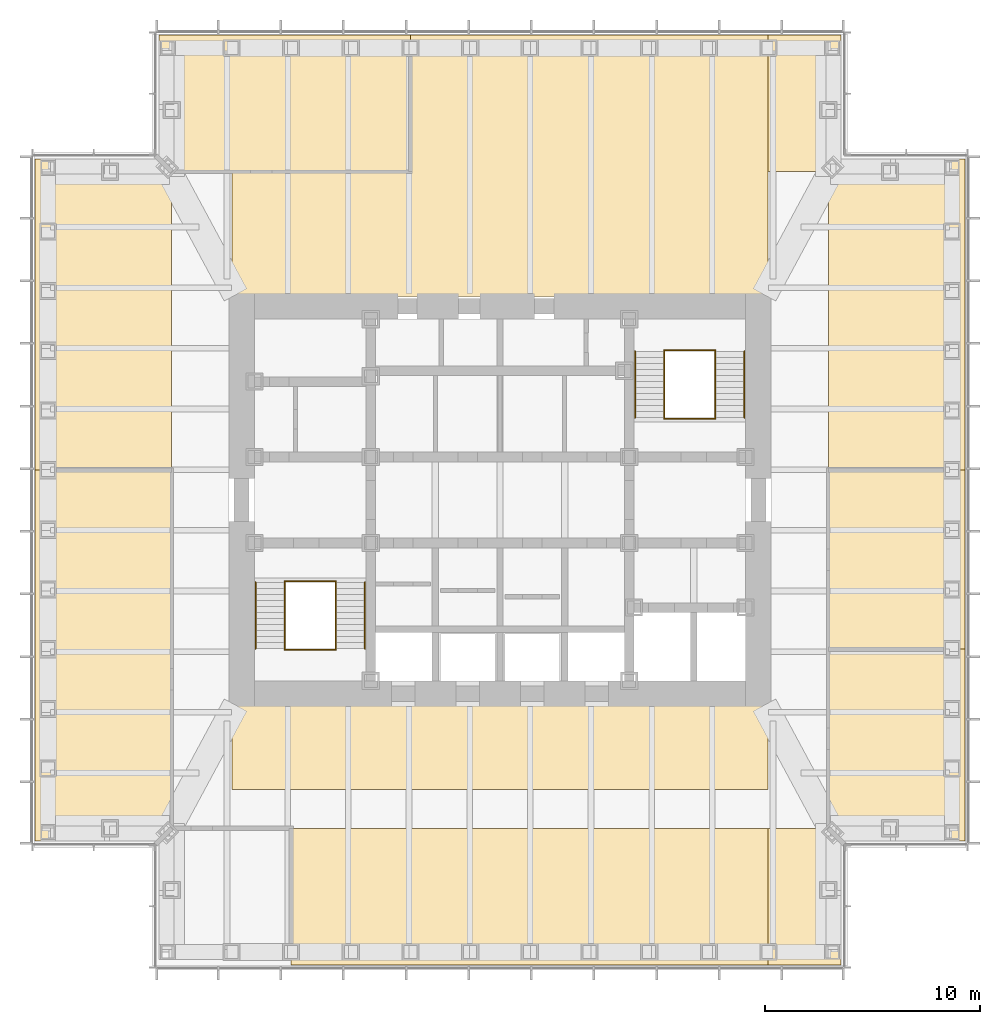
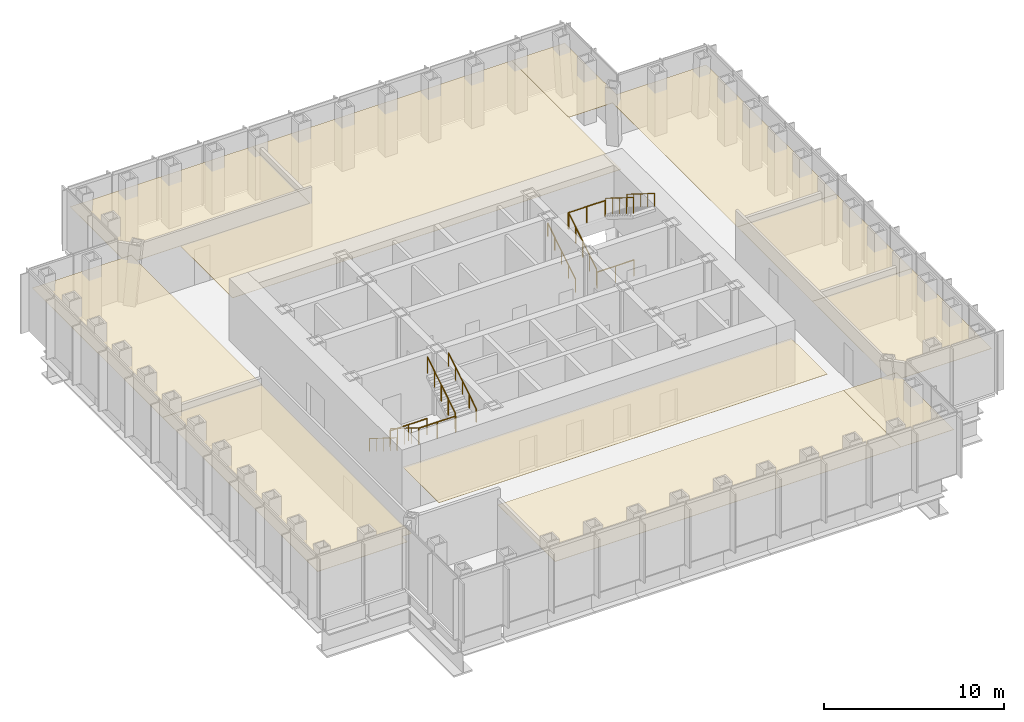
# One storey, part 14 of 14: 12 railings, 10 coverings.
"""IFC4 building model written with IfcOpenShell, lengths in metres."""

from ifc_helpers import new_model, si_unit, direction, frame, origin, origin_2d, place, context, subcontext, project, spatial, polyline, circle, outline, extrude, material, layer, layer_set, type_object, element, save


model = new_model("IFC4")

# Units and contexts
model_context = context("Model", 3, precision=1e-05, world=origin(), true_north=direction((0.0, 1.0)))
body_context = subcontext(model_context, "Body", "Model", "MODEL_VIEW")
ifc_project = project(units=[si_unit("LENGTHUNIT", "METRE"), si_unit("AREAUNIT", "SQUARE_METRE"), si_unit("VOLUMEUNIT", "CUBIC_METRE"), si_unit("PLANEANGLEUNIT", "RADIAN"), si_unit("MASSUNIT", "GRAM", prefix="KILO")], contexts=[model_context])

# Site, building, storey
site_placement = place(None, origin())
site = spatial("IfcSite", under=ifc_project, at=site_placement, CompositionType="ELEMENT")
building_placement = place(site_placement, origin())
building = spatial("IfcBuilding", under=site, at=building_placement, Name="Daluyong Arena Tower", CompositionType="ELEMENT")
storey_placement = place(building_placement, frame((0.0, 0.0, 250.300048828125)))
storey = spatial("IfcBuildingStorey", under=building, at=storey_placement, Name="L56", CompositionType="ELEMENT", Elevation=250.300048828125)

# Coverings
ifc_material_1 = material(Name="Mineral fibre ceiling tile", Category="gypsum board")
ifc_layer = layer(ifc_material_1, 0.02001953125)
ifc_layer_set = layer_set([ifc_layer], Name="Mineral fibre ceiling tile")
covering_type = type_object("IfcCoveringType", Name="Office ceiling", PredefinedType="CEILING", material=ifc_layer_set)
covering_1_placement = place(storey_placement, frame((0.0, 0.0, 2.89990234375)))
element("IfcCovering", 1, at=covering_1_placement, inside=storey, type_object=covering_type, Name="ceiling L56-02", PredefinedType="CEILING", context=body_context, shape_type="SweptSolid", body=[
    extrude(outline(polyline([(71.85009765625, 64.14990234375), (77.60009765625, 64.14990234375), (77.60009765625, 73.068115234375), (71.25, 73.068115234375), (71.25, 64.75), (71.85009765625, 64.75), (71.85009765625, 64.14990234375)])), origin(), (0.0, 0.0, 1.0), 0.02001953125),
])
covering_2_placement = place(storey_placement, frame((0.0, 0.0, 2.89990234375)))
element("IfcCovering", 2, at=covering_2_placement, inside=storey, type_object=covering_type, Name="ceiling L56-03", PredefinedType="CEILING", context=body_context, shape_type="SweptSolid", body=[
    extrude(outline(polyline([(71.25, 73.068115234375), (77.60009765625, 73.068115234375), (77.60009765625, 81.386474609375), (71.25, 81.386474609375), (71.25, 73.068115234375)])), origin(), (0.0, 0.0, 1.0), 0.02001953125),
])
covering_3_placement = place(storey_placement, frame((0.0, 0.0, 2.89990234375)))
element("IfcCovering", 3, at=covering_3_placement, inside=storey, type_object=covering_type, Name="ceiling L56-04", PredefinedType="CEILING", context=body_context, shape_type="SweptSolid", body=[
    extrude(outline(polyline([(51.8408203125, 95.25), (51.8408203125, 101.60009765625), (40.14990234375, 101.60009765625), (40.14990234375, 95.85009765625), (40.75, 95.85009765625), (40.75, 95.25), (51.8408203125, 95.25)])), origin(), (0.0, 0.0, 1.0), 0.02001953125),
])
covering_4_placement = place(storey_placement, frame((0.0, 0.0, 2.89990234375)))
element("IfcCovering", 4, at=covering_4_placement, inside=storey, type_object=covering_type, Name="ceiling L56-05", PredefinedType="CEILING", context=body_context, shape_type="SweptSolid", body=[
    extrude(outline(polyline([(34.39990234375, 64.14990234375), (40.14990234375, 64.14990234375), (40.14990234375, 64.75), (40.75, 64.75), (40.75, 81.386474609375), (34.39990234375, 81.386474609375), (34.39990234375, 64.14990234375)])), origin(), (0.0, 0.0, 1.0), 0.02001953125),
])
covering_5_placement = place(storey_placement, frame((0.0, 0.0, 2.89990234375)))
element("IfcCovering", 5, at=covering_5_placement, inside=storey, type_object=covering_type, Name="ceiling L56-07", PredefinedType="CEILING", context=body_context, shape_type="SweptSolid", body=[
    extrude(outline(polyline([(46.29541015625, 58.39990234375), (68.449951171875, 58.39990234375), (68.449951171875, 64.75), (46.29541015625, 64.75), (46.29541015625, 58.39990234375)])), origin(), (0.0, 0.0, 1.0), 0.02001953125),
])
covering_6_placement = place(storey_placement, frame((0.0, 0.0, 2.89990234375)))
element("IfcCovering", 6, at=covering_6_placement, inside=storey, type_object=covering_type, Name="ceiling L56-08", PredefinedType="CEILING", context=body_context, shape_type="SweptSolid", body=[
    extrude(outline(polyline([(68.449951171875, 66.550048828125), (68.449951171875, 70.550048828125), (43.550048828125, 70.550048828125), (43.550048828125, 66.550048828125), (68.449951171875, 66.550048828125)])), origin(), (0.0, 0.0, 1.0), 0.02001953125),
])
covering_7_placement = place(storey_placement, frame((0.0, 0.0, 2.89990234375)))
element("IfcCovering", 7, at=covering_7_placement, inside=storey, type_object=covering_type, Name="ceiling L56-09", PredefinedType="CEILING", context=body_context, shape_type="SweptSolid", body=[
    extrude(outline(polyline([(71.85009765625, 101.60009765625), (68.449951171875, 101.60009765625), (68.449951171875, 95.25), (71.25, 95.25), (71.25, 81.386474609375), (77.60009765625, 81.386474609375), (77.60009765625, 95.85009765625), (71.85009765625, 95.85009765625), (71.85009765625, 101.60009765625)])), origin(), (0.0, 0.0, 1.0), 0.02001953125),
])
covering_8_placement = place(storey_placement, frame((0.0, 0.0, 2.89990234375)))
element("IfcCovering", 8, at=covering_8_placement, inside=storey, type_object=covering_type, Name="ceiling L56-10", PredefinedType="CEILING", context=body_context, shape_type="SweptSolid", body=[
    extrude(outline(polyline([(71.85009765625, 64.75), (68.449951171875, 64.75), (68.449951171875, 58.39990234375), (71.85009765625, 58.39990234375), (71.85009765625, 64.75)])), origin(), (0.0, 0.0, 1.0), 0.02001953125),
])
covering_9_placement = place(storey_placement, frame((0.0, 0.0, 2.89990234375)))
element("IfcCovering", 9, at=covering_9_placement, inside=storey, type_object=covering_type, Name="ceiling L56-11", PredefinedType="CEILING", context=body_context, shape_type="SweptSolid", body=[
    extrude(outline(polyline([(51.8408203125, 101.60009765625), (51.8408203125, 95.25), (43.550048828125, 95.25), (43.550048828125, 89.449951171875), (68.449951171875, 89.449951171875), (68.449951171875, 101.60009765625), (51.8408203125, 101.60009765625)])), origin(), (0.0, 0.0, 1.0), 0.02001953125),
])
covering_10_placement = place(storey_placement, frame((0.0, 0.0, 2.89990234375)))
element("IfcCovering", 10, at=covering_10_placement, inside=storey, type_object=covering_type, Name="ceiling L56-12", PredefinedType="CEILING", context=body_context, shape_type="SweptSolid", body=[
    extrude(outline(polyline([(40.75, 95.85009765625), (34.39990234375, 95.85009765625), (34.39990234375, 81.386474609375), (40.75, 81.386474609375), (40.75, 95.85009765625)])), origin(), (0.0, 0.0, 1.0), 0.02001953125),
])

# Railings
ifc_material_2 = material(Name="Stainless steel handrail", Category="steel")
railing_type_1 = type_object("IfcRailingType", Name="Stair handrail", PredefinedType="HANDRAIL", material=ifc_material_2)
railing_1_placement = place(storey_placement, frame((44.64990234375, 76.175048828125, 0.175048828125)))
element("IfcRailing", 11, at=railing_1_placement, inside=storey, type_object=railing_type_1, Name="exit stair A handrail L56", PredefinedType="HANDRAIL", context=body_context, shape_type="SweptSolid", body=[
    extrude(circle(Radius=0.02392578125, at=origin_2d()), frame((0.0, 0.0, 0.8759765625), z_axis=(0.0, -0.848028513186, 0.529950602248), x_axis=(1.0, 0.0, 0.0)), (0.0, 0.0, 1.0), 3.632080078125),
    extrude(circle(Radius=0.02099609375, at=origin_2d()), origin(), (0.0, 0.0, 1.0), 0.851806640625),
    extrude(circle(Radius=0.02099609375, at=origin_2d()), frame((0.0, -0.77001953125, 0.481201171875)), (0.0, 0.0, 1.0), 0.851806640625),
    extrude(circle(Radius=0.02099609375, at=origin_2d()), frame((0.0, -1.5400390625, 0.96240234375)), (0.0, 0.0, 1.0), 0.851806640625),
    extrude(circle(Radius=0.02099609375, at=origin_2d()), frame((0.0, -2.31005859375, 1.443603515625)), (0.0, 0.0, 1.0), 0.851806640625),
    extrude(circle(Radius=0.02099609375, at=origin_2d()), frame((0.0, -3.080078125, 1.9248046875)), (0.0, 0.0, 1.0), 0.851806640625),
])
railing_2_placement = place(storey_placement, frame((49.72509765625, 73.094970703125, 2.27490234375)))
element("IfcRailing", 12, at=railing_2_placement, inside=storey, type_object=railing_type_1, Name="exit stair A handrail L56", PredefinedType="HANDRAIL", context=body_context, shape_type="SweptSolid", body=[
    extrude(circle(Radius=0.02392578125, at=origin_2d()), frame((0.0, 0.0, 0.8759765625), z_axis=(0.0, 0.847998304005, 0.529998940003), x_axis=(-1.0, 0.0, 0.0)), (0.0, 0.0, 1.0), 3.632080078125),
    extrude(circle(Radius=0.02099609375, at=origin_2d()), origin(), (0.0, 0.0, 1.0), 0.851806640625),
    extrude(circle(Radius=0.02099609375, at=origin_2d()), frame((0.0, 0.77001953125, 0.481201171875)), (0.0, 0.0, 1.0), 0.851806640625),
    extrude(circle(Radius=0.02099609375, at=origin_2d()), frame((0.0, 1.5400390625, 0.96240234375)), (0.0, 0.0, 1.0), 0.851806640625),
    extrude(circle(Radius=0.02099609375, at=origin_2d()), frame((0.0, 2.31005859375, 1.44384765625)), (0.0, 0.0, 1.0), 0.851806640625),
    extrude(circle(Radius=0.02099609375, at=origin_2d()), frame((0.0, 3.080078125, 1.925048828125)), (0.0, 0.0, 1.0), 0.851806640625),
])
railing_3_placement = place(storey_placement, frame((62.27490234375, 83.824951171875, 0.175048828125)))
element("IfcRailing", 13, at=railing_3_placement, inside=storey, type_object=railing_type_1, Name="exit stair B handrail L56", PredefinedType="HANDRAIL", context=body_context, shape_type="SweptSolid", body=[
    extrude(circle(Radius=0.02392578125, at=origin_2d()), frame((0.0, 0.0, 0.8759765625), z_axis=(0.0, 0.848028513186, 0.529950602248), x_axis=(-1.0, 0.0, 0.0)), (0.0, 0.0, 1.0), 3.632080078125),
    extrude(circle(Radius=0.02099609375, at=origin_2d()), origin(), (0.0, 0.0, 1.0), 0.851806640625),
    extrude(circle(Radius=0.02099609375, at=origin_2d()), frame((0.0, 0.77001953125, 0.481201171875)), (0.0, 0.0, 1.0), 0.851806640625),
    extrude(circle(Radius=0.02099609375, at=origin_2d()), frame((0.0, 1.5400390625, 0.96240234375)), (0.0, 0.0, 1.0), 0.851806640625),
    extrude(circle(Radius=0.02099609375, at=origin_2d()), frame((0.0, 2.31005859375, 1.443603515625)), (0.0, 0.0, 1.0), 0.851806640625),
    extrude(circle(Radius=0.02099609375, at=origin_2d()), frame((0.0, 3.080078125, 1.9248046875)), (0.0, 0.0, 1.0), 0.851806640625),
])
railing_4_placement = place(storey_placement, frame((67.35009765625, 86.905029296875, 2.27490234375)))
element("IfcRailing", 14, at=railing_4_placement, inside=storey, type_object=railing_type_1, Name="exit stair B handrail L56", PredefinedType="HANDRAIL", context=body_context, shape_type="SweptSolid", body=[
    extrude(circle(Radius=0.02392578125, at=origin_2d()), frame((0.0, 0.0, 0.8759765625), z_axis=(0.0, -0.847998304005, 0.529998940003), x_axis=(1.0, 0.0, 0.0)), (0.0, 0.0, 1.0), 3.632080078125),
    extrude(circle(Radius=0.02099609375, at=origin_2d()), origin(), (0.0, 0.0, 1.0), 0.851806640625),
    extrude(circle(Radius=0.02099609375, at=origin_2d()), frame((0.0, -0.77001953125, 0.481201171875)), (0.0, 0.0, 1.0), 0.851806640625),
    extrude(circle(Radius=0.02099609375, at=origin_2d()), frame((0.0, -1.5400390625, 0.96240234375)), (0.0, 0.0, 1.0), 0.851806640625),
    extrude(circle(Radius=0.02099609375, at=origin_2d()), frame((0.0, -2.31005859375, 1.44384765625)), (0.0, 0.0, 1.0), 0.851806640625),
    extrude(circle(Radius=0.02099609375, at=origin_2d()), frame((0.0, -3.080078125, 1.925048828125)), (0.0, 0.0, 1.0), 0.851806640625),
])
ifc_material_3 = material(Name="Steel balustrade", Category="steel")
railing_type_2 = type_object("IfcRailingType", Name="Stair well guard 1100", PredefinedType="GUARDRAIL", material=ifc_material_3)
railing_5_placement = place(storey_placement, frame((46.0, 76.175048828125, 0.175048828125)))
element("IfcRailing", 15, at=railing_5_placement, inside=storey, type_object=railing_type_2, Name="exit stair A well guard L56", PredefinedType="GUARDRAIL", context=body_context, shape_type="SweptSolid", body=[
    extrude(circle(Radius=0.02392578125, at=origin_2d()), frame((0.0, 0.0, 1.076171875), z_axis=(0.0, -0.848028513186, 0.529950602248), x_axis=(1.0, 0.0, 0.0)), (0.0, 0.0, 1.0), 3.632080078125),
    extrude(circle(Radius=0.02099609375, at=origin_2d()), origin(), (0.0, 0.0, 1.0), 1.052001953125),
    extrude(circle(Radius=0.02099609375, at=origin_2d()), frame((0.0, -0.77001953125, 0.481201171875)), (0.0, 0.0, 1.0), 1.052001953125),
    extrude(circle(Radius=0.02099609375, at=origin_2d()), frame((0.0, -1.5400390625, 0.96240234375)), (0.0, 0.0, 1.0), 1.052001953125),
    extrude(circle(Radius=0.02099609375, at=origin_2d()), frame((0.0, -2.31005859375, 1.443603515625)), (0.0, 0.0, 1.0), 1.052001953125),
    extrude(circle(Radius=0.02099609375, at=origin_2d()), frame((0.0, -3.080078125, 1.9248046875)), (0.0, 0.0, 1.0), 1.052001953125),
])
railing_6_placement = place(storey_placement, frame((48.375, 73.094970703125, 2.27490234375)))
element("IfcRailing", 16, at=railing_6_placement, inside=storey, type_object=railing_type_2, Name="exit stair A well guard L56", PredefinedType="GUARDRAIL", context=body_context, shape_type="SweptSolid", body=[
    extrude(circle(Radius=0.02392578125, at=origin_2d()), frame((0.0, 0.0, 1.076171875), z_axis=(0.0, 0.847998304005, 0.529998940003), x_axis=(-1.0, 0.0, 0.0)), (0.0, 0.0, 1.0), 3.632080078125),
    extrude(circle(Radius=0.02099609375, at=origin_2d()), origin(), (0.0, 0.0, 1.0), 1.052001953125),
    extrude(circle(Radius=0.02099609375, at=origin_2d()), frame((0.0, 0.77001953125, 0.481201171875)), (0.0, 0.0, 1.0), 1.052001953125),
    extrude(circle(Radius=0.02099609375, at=origin_2d()), frame((0.0, 1.5400390625, 0.96240234375)), (0.0, 0.0, 1.0), 1.052001953125),
    extrude(circle(Radius=0.02099609375, at=origin_2d()), frame((0.0, 2.31005859375, 1.44384765625)), (0.0, 0.0, 1.0), 1.052001953125),
    extrude(circle(Radius=0.02099609375, at=origin_2d()), frame((0.0, 3.080078125, 1.925048828125)), (0.0, 0.0, 1.0), 1.052001953125),
])
for number, where, name in (
    (17, (46.0, 73.044921875, 2.099853515625), "exit stair A landing guard L56"),
    (18, (46.0, 76.22509765625, 0.0), "exit stair A floor landing guard L56"),
):
    element("IfcRailing", number, at=place(storey_placement, frame(where)), inside=storey, type_object=railing_type_2, Name=name, PredefinedType="GUARDRAIL", context=body_context, shape_type="SweptSolid", body=[
        extrude(circle(Radius=0.02392578125, at=origin_2d()), frame((0.0, 0.0, 1.076171875), z_axis=(1.0, 0.0, 0.0), x_axis=(0.0, 1.0, 0.0)), (0.0, 0.0, 1.0), 2.375),
        extrude(circle(Radius=0.02099609375, at=origin_2d()), origin(), (0.0, 0.0, 1.0), 1.052001953125),
        extrude(circle(Radius=0.02099609375, at=origin_2d()), frame((1.1875, 0.0, 0.0)), (0.0, 0.0, 1.0), 1.052001953125),
        extrude(circle(Radius=0.02099609375, at=origin_2d()), frame((2.375, 0.0, 0.0)), (0.0, 0.0, 1.0), 1.052001953125),
    ])
railing_7_placement = place(storey_placement, frame((63.625, 83.824951171875, 0.175048828125)))
element("IfcRailing", 19, at=railing_7_placement, inside=storey, type_object=railing_type_2, Name="exit stair B well guard L56", PredefinedType="GUARDRAIL", context=body_context, shape_type="SweptSolid", body=[
    extrude(circle(Radius=0.02392578125, at=origin_2d()), frame((0.0, 0.0, 1.076171875), z_axis=(0.0, 0.848028513186, 0.529950602248), x_axis=(-1.0, 0.0, 0.0)), (0.0, 0.0, 1.0), 3.632080078125),
    extrude(circle(Radius=0.02099609375, at=origin_2d()), origin(), (0.0, 0.0, 1.0), 1.052001953125),
    extrude(circle(Radius=0.02099609375, at=origin_2d()), frame((0.0, 0.77001953125, 0.481201171875)), (0.0, 0.0, 1.0), 1.052001953125),
    extrude(circle(Radius=0.02099609375, at=origin_2d()), frame((0.0, 1.5400390625, 0.96240234375)), (0.0, 0.0, 1.0), 1.052001953125),
    extrude(circle(Radius=0.02099609375, at=origin_2d()), frame((0.0, 2.31005859375, 1.443603515625)), (0.0, 0.0, 1.0), 1.052001953125),
    extrude(circle(Radius=0.02099609375, at=origin_2d()), frame((0.0, 3.080078125, 1.9248046875)), (0.0, 0.0, 1.0), 1.052001953125),
])
railing_8_placement = place(storey_placement, frame((66.0, 86.905029296875, 2.27490234375)))
element("IfcRailing", 20, at=railing_8_placement, inside=storey, type_object=railing_type_2, Name="exit stair B well guard L56", PredefinedType="GUARDRAIL", context=body_context, shape_type="SweptSolid", body=[
    extrude(circle(Radius=0.02392578125, at=origin_2d()), frame((0.0, 0.0, 1.076171875), z_axis=(0.0, -0.847998304005, 0.529998940003), x_axis=(1.0, 0.0, 0.0)), (0.0, 0.0, 1.0), 3.632080078125),
    extrude(circle(Radius=0.02099609375, at=origin_2d()), origin(), (0.0, 0.0, 1.0), 1.052001953125),
    extrude(circle(Radius=0.02099609375, at=origin_2d()), frame((0.0, -0.77001953125, 0.481201171875)), (0.0, 0.0, 1.0), 1.052001953125),
    extrude(circle(Radius=0.02099609375, at=origin_2d()), frame((0.0, -1.5400390625, 0.96240234375)), (0.0, 0.0, 1.0), 1.052001953125),
    extrude(circle(Radius=0.02099609375, at=origin_2d()), frame((0.0, -2.31005859375, 1.44384765625)), (0.0, 0.0, 1.0), 1.052001953125),
    extrude(circle(Radius=0.02099609375, at=origin_2d()), frame((0.0, -3.080078125, 1.925048828125)), (0.0, 0.0, 1.0), 1.052001953125),
])
for number, where, name in (
    (21, (63.625, 86.955078125, 2.099853515625), "exit stair B landing guard L56"),
    (22, (63.625, 83.77490234375, 0.0), "exit stair B floor landing guard L56"),
):
    element("IfcRailing", number, at=place(storey_placement, frame(where)), inside=storey, type_object=railing_type_2, Name=name, PredefinedType="GUARDRAIL", context=body_context, shape_type="SweptSolid", body=[
        extrude(circle(Radius=0.02392578125, at=origin_2d()), frame((0.0, 0.0, 1.076171875), z_axis=(1.0, 0.0, 0.0), x_axis=(0.0, 1.0, 0.0)), (0.0, 0.0, 1.0), 2.375),
        extrude(circle(Radius=0.02099609375, at=origin_2d()), origin(), (0.0, 0.0, 1.0), 1.052001953125),
        extrude(circle(Radius=0.02099609375, at=origin_2d()), frame((1.1875, 0.0, 0.0)), (0.0, 0.0, 1.0), 1.052001953125),
        extrude(circle(Radius=0.02099609375, at=origin_2d()), frame((2.375, 0.0, 0.0)), (0.0, 0.0, 1.0), 1.052001953125),
    ])

save(model, "model.ifc")
